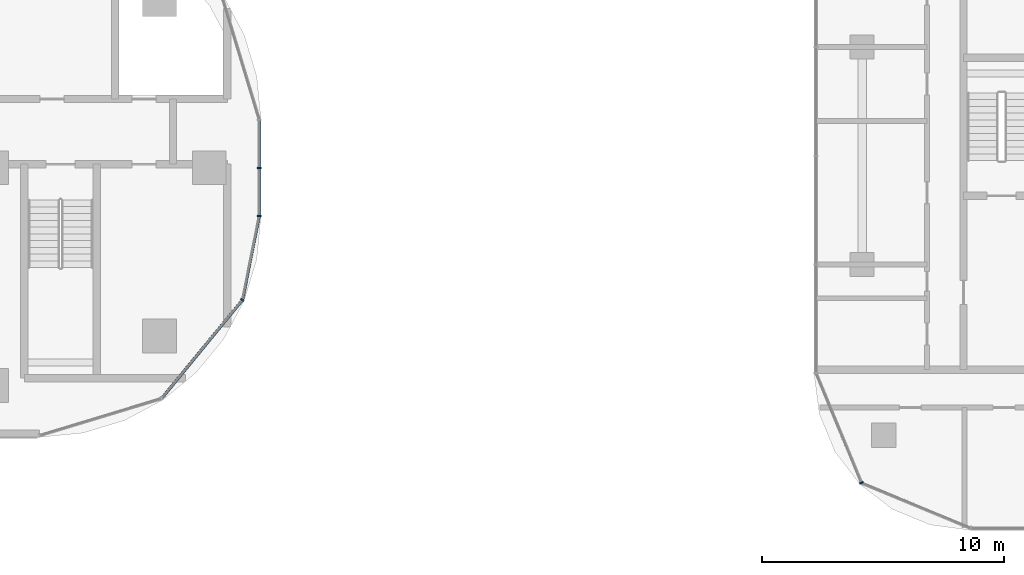
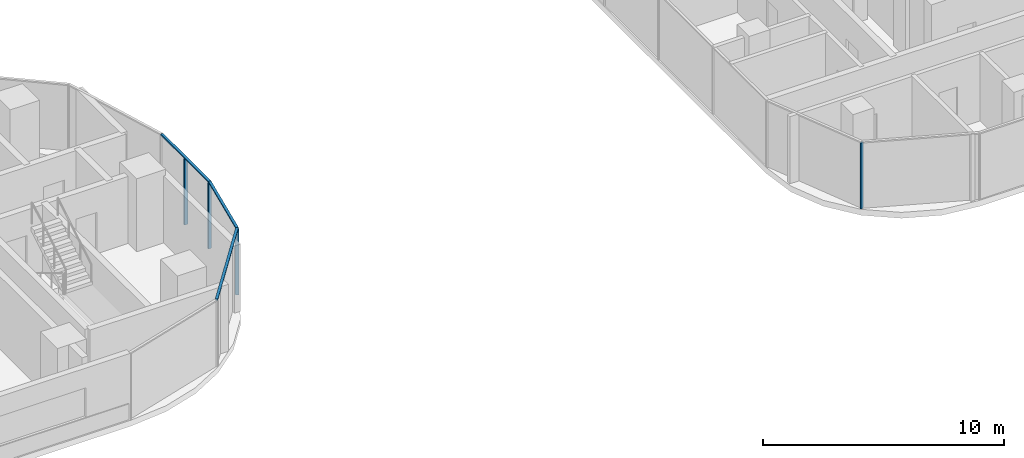
# One storey, part 7 of 32: 7 members, 3 elements without a shape of their own.
"""IFC4 building model written with IfcOpenShell, lengths in metres."""

from ifc_helpers import new_model, si_unit, direction, frame, origin, origin_2d, place, context, subcontext, project, spatial, rectangle, extrude, material, material_profile, profile_set, type_object, element, aggregate, save


model = new_model("IFC4")

# Units and contexts
model_context = context("Model", 3, precision=1e-05, world=origin(), true_north=direction((0.0, 1.0)))
body_context = subcontext(model_context, "Body", "Model", "MODEL_VIEW")
ifc_project = project(units=[si_unit("LENGTHUNIT", "METRE"), si_unit("AREAUNIT", "SQUARE_METRE"), si_unit("VOLUMEUNIT", "CUBIC_METRE"), si_unit("PLANEANGLEUNIT", "RADIAN"), si_unit("MASSUNIT", "GRAM", prefix="KILO")], contexts=[model_context])

# Site, building, storey
site_placement = place(None, origin())
site = spatial("IfcSite", under=ifc_project, at=site_placement, CompositionType="ELEMENT")
building_placement = place(site_placement, origin())
building = spatial("IfcBuilding", under=site, at=building_placement, Name="Ogive Portal Towers", CompositionType="ELEMENT")
storey_placement = place(building_placement, frame((0.0, 0.0, 55.699951171875)))
storey = spatial("IfcBuildingStorey", under=building, at=storey_placement, Name="L12", CompositionType="ELEMENT", Elevation=55.699951171875)

# Curtain wall, members
ifc_material_1 = material(Name="Glass, clear low-iron insulated glazing", Category="glass")
curtain_wall_type_1 = type_object("IfcCurtainWallType", Name="CW FRONT RIBBON 4500", PredefinedType="NOTDEFINED", material=ifc_material_1)
curtain_wall_1_placement = place(storey_placement, origin())
curtain_wall_1 = element("IfcCurtainWall", 1, at=curtain_wall_1_placement, inside=storey, type_object=curtain_wall_type_1, Name="A:L12:f12:cw0", PredefinedType="NOTDEFINED")
ifc_material_2 = material(Name="Aluminium 6063 anodised", Category="aluminium")
ifc_material_profile_1 = material_profile(ifc_material_2, rectangle(XDim=0.159912109375, YDim=0.06005859375, at=origin_2d()), Name="AL 60x160")
ifc_profile_set_1 = profile_set([ifc_material_profile_1], Name="Aluminium 6063 anodised")
member_type_1 = type_object("IfcMemberType", Name="CW MULLION 60x160", PredefinedType="MULLION", material=ifc_profile_set_1)
member_1_placement = place(storey_placement, frame((96.56494140625, 28.5078125, 0.0), z_axis=(0.0, 0.0, 1.0), x_axis=(-1.0, 0.0, 0.0)))
member_1 = element("IfcMember", 2, at=member_1_placement, type_object=member_type_1, Name="mullion", PredefinedType="MULLION", context=body_context, shape_type="SweptSolid", body=[
    extrude(rectangle(XDim=0.159912109375, YDim=0.06005859375, at=origin_2d()), origin(), (0.0, 0.0, 1.0), 3.340087890625),
])
member_2_placement = place(storey_placement, frame((96.56494140625, 30.5, 0.0), z_axis=(0.0, 0.0, 1.0), x_axis=(-1.0, 0.0, 0.0)))
member_2 = element("IfcMember", 3, at=member_2_placement, type_object=member_type_1, Name="mullion", PredefinedType="MULLION", context=body_context, shape_type="SweptSolid", body=[
    extrude(rectangle(XDim=0.159912109375, YDim=0.06005859375, at=origin_2d()), origin(), (0.0, 0.0, 1.0), 3.340087890625),
])

# Curtain wall, member
curtain_wall_2_placement = place(storey_placement, origin())
curtain_wall_2 = element("IfcCurtainWall", 4, at=curtain_wall_2_placement, inside=storey, type_object=curtain_wall_type_1, Name="A:L12:f09:cwa", PredefinedType="NOTDEFINED")
member_3_placement = place(storey_placement, frame((95.874267578125, 25.03564453125, 0.0), z_axis=(0.0, 0.0, 1.0), x_axis=(-0.773010453363, 0.634393284164, 0.0)))
member_3 = element("IfcMember", 5, at=member_3_placement, type_object=member_type_1, Name="mullion", PredefinedType="MULLION", context=body_context, shape_type="SweptSolid", body=[
    extrude(rectangle(XDim=0.159912109375, YDim=0.06005859375, at=origin_2d()), origin(), (0.0, 0.0, 1.0), 3.340087890625),
])

curtain_wall_type_2 = type_object("IfcCurtainWallType", Name="CW RESIDENCES RIBBON", PredefinedType="NOTDEFINED", material=ifc_material_1)
curtain_wall_3_placement = place(storey_placement, origin())
curtain_wall_3 = element("IfcCurtainWall", 6, at=curtain_wall_3_placement, inside=storey, type_object=curtain_wall_type_2, Name="B:L12:f00:cwa", PredefinedType="NOTDEFINED")
member_4_placement = place(storey_placement, frame((121.47216796875, 17.47216796875, 0.0), z_axis=(0.0, 0.0, 1.0), x_axis=(0.923879532511, 0.382683432365, 0.0)))
member_4 = element("IfcMember", 7, at=member_4_placement, type_object=member_type_1, Name="mullion", PredefinedType="MULLION", context=body_context, shape_type="SweptSolid", body=[
    extrude(rectangle(XDim=0.159912109375, YDim=0.06005859375, at=origin_2d()), origin(), (0.0, 0.0, 1.0), 3.340087890625),
])
aggregate(curtain_wall_3, [member_4])

# Member
ifc_material_profile_2 = material_profile(ifc_material_2, rectangle(XDim=0.1201171875, YDim=0.06005859375, at=origin_2d()), Name="AL 120x60")
ifc_profile_set_2 = profile_set([ifc_material_profile_2], Name="Aluminium 6063 anodised")
member_type_2 = type_object("IfcMemberType", Name="CW TRANSOM 60x120", PredefinedType="USERDEFINED", material=ifc_profile_set_2)
member_5_placement = place(storey_placement, frame((96.56494140625, 28.5078125, 3.3701171875), z_axis=(0.0, 1.0, 0.0), x_axis=(-1.0, 0.0, 0.0)))
member_5 = element("IfcMember", 8, at=member_5_placement, type_object=member_type_2, Name="transom", ObjectType="TRANSOM", PredefinedType="USERDEFINED", context=body_context, shape_type="SweptSolid", body=[
    extrude(rectangle(XDim=0.1201171875, YDim=0.06005859375, at=origin_2d()), origin(), (0.0, 0.0, 1.0), 3.980224609375),
])

aggregate(curtain_wall_1, [member_5, member_1, member_2])

member_6_placement = place(storey_placement, frame((92.5341796875, 20.9658203125, 3.3701171875), z_axis=(0.634401168845, 0.773003982505, 0.0), x_axis=(-0.773003982505, 0.634401168845, 0.0)))
member_6 = element("IfcMember", 9, at=member_6_placement, type_object=member_type_2, Name="transom", ObjectType="TRANSOM", PredefinedType="USERDEFINED", context=body_context, shape_type="SweptSolid", body=[
    extrude(rectangle(XDim=0.1201171875, YDim=0.06005859375, at=origin_2d()), origin(), (0.0, 0.0, 1.0), 5.264892578125),
])

member_7_placement = place(storey_placement, frame((95.874267578125, 25.03564453125, 3.3701171875), z_axis=(0.195094853621, 0.980784379, 0.0), x_axis=(-0.980784379, 0.195094853621, 0.0)))
member_7 = element("IfcMember", 10, at=member_7_placement, type_object=member_type_2, Name="transom", ObjectType="TRANSOM", PredefinedType="USERDEFINED", context=body_context, shape_type="SweptSolid", body=[
    extrude(rectangle(XDim=0.1201171875, YDim=0.06005859375, at=origin_2d()), origin(), (0.0, 0.0, 1.0), 3.540283203125),
])

aggregate(curtain_wall_2, [member_6, member_7, member_3])

save(model, "model.ifc")
